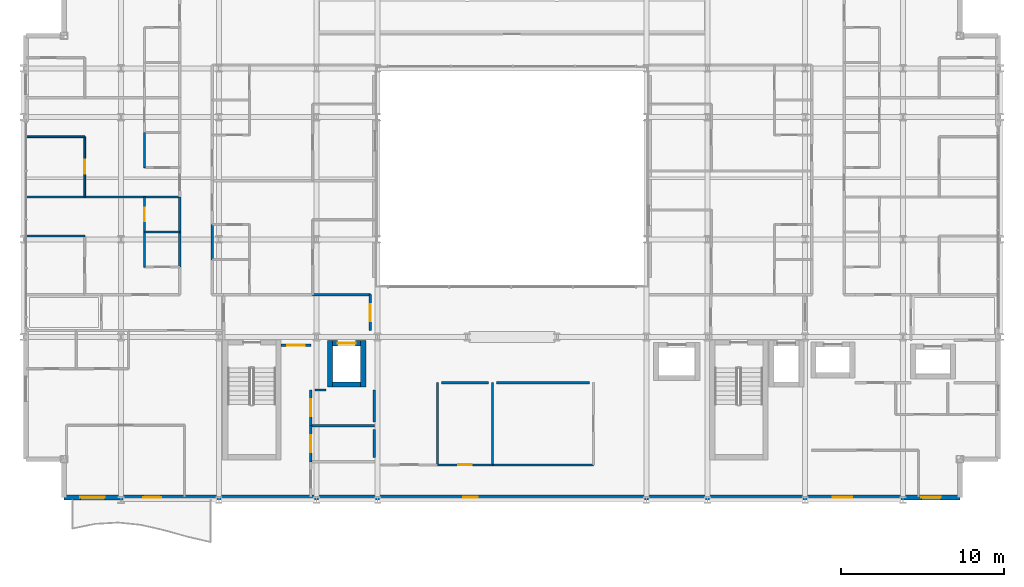
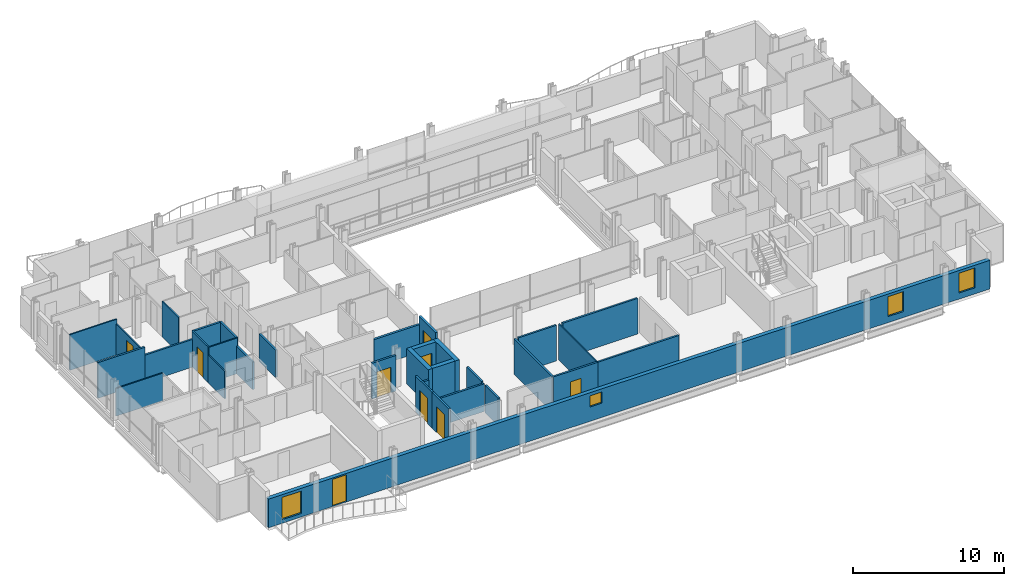
# One storey, part 32 of 40: 33 walls, 9 doors, 4 windows, 13 openings.
"""IFC4 building model written with IfcOpenShell, lengths in metres."""

from ifc_helpers import new_model, si_unit, direction, frame, frame_2d, origin, place, context, subcontext, project, spatial, rectangle, extrude, material, layer, layer_set, type_object, element, fill, save


model = new_model("IFC4")

# Units and contexts
model_context = context("Model", 3, precision=1e-05, world=origin(), true_north=direction((0.0, 1.0)))
body_context = subcontext(model_context, "Body", "Model", "MODEL_VIEW")
ifc_project = project(units=[si_unit("LENGTHUNIT", "METRE"), si_unit("AREAUNIT", "SQUARE_METRE"), si_unit("VOLUMEUNIT", "CUBIC_METRE"), si_unit("PLANEANGLEUNIT", "RADIAN"), si_unit("MASSUNIT", "GRAM", prefix="KILO")], contexts=[model_context])

# Site, building, storey
site_placement = place(None, origin())
site = spatial("IfcSite", under=ifc_project, at=site_placement, CompositionType="ELEMENT")
building_placement = place(site_placement, origin())
building = spatial("IfcBuilding", under=site, at=building_placement, Name="Brevholm Reach", CompositionType="ELEMENT")
storey_placement = place(building_placement, frame((0.0, 0.0, 31.10009765625)))
storey = spatial("IfcBuildingStorey", under=building, at=storey_placement, Name="L07", CompositionType="ELEMENT", Elevation=31.10009765625)

# Walls
ifc_material_1 = material(Name="Concrete C60/75", Category="concrete")
ifc_layer_1 = layer(ifc_material_1, 0.320068359375)
ifc_layer_set_1 = layer_set([ifc_layer_1], Name="Concrete C60/75")
wall_type_1 = type_object("IfcWallType", Name="WAL-COR-320", PredefinedType="SHEAR", material=ifc_layer_set_1)
for number, where, z_axis, x_axis, name in (
    (1, (18.830078125, 6.919921875, 0.0), (0.0, 0.0, 1.0), (0.0, 1.0, 0.0), "L07 Lift FFL-1 Shaft Wall W"),
    (2, (20.8701171875, 6.919921875, 0.0), (0.0, 0.0, 1.0), (0.0, 1.0, 0.0), "L07 Lift FFL-1 Shaft Wall E"),
):
    element("IfcWall", number, at=place(storey_placement, frame(where, z_axis=z_axis, x_axis=x_axis)), inside=storey, type_object=wall_type_1, Name=name, PredefinedType="SHEAR", context=body_context, shape_type="SweptSolid", body=[
        extrude(rectangle(XDim=2.860107421875, YDim=0.320068359375, at=frame_2d((1.43017578125, 0.0))), origin(), (0.0, 0.0, 1.0), 2.869873046875),
    ])
wall_1_placement = place(storey_placement, frame((18.989990234375, 7.080078125, 0.0), z_axis=(0.0, 0.0, 1.0), x_axis=(1.0, 0.0, 0.0)))
element("IfcWall", 3, at=wall_1_placement, inside=storey, type_object=wall_type_1, Name="L07 Lift FFL-1 Shaft Wall S", PredefinedType="SHEAR", context=body_context, shape_type="SweptSolid", body=[
    extrude(rectangle(XDim=1.719970703125, YDim=0.320068359375, at=frame_2d((0.85986328125, 0.0))), origin(), (0.0, 0.0, 1.0), 2.869873046875),
])

# Wall, opening, door
wall_2_placement = place(storey_placement, frame((18.989990234375, 9.6201171875, 0.0), z_axis=(0.0, 0.0, 1.0), x_axis=(1.0, 0.0, 0.0)))
wall_2 = element("IfcWall", 4, at=wall_2_placement, inside=storey, type_object=wall_type_1, Name="L07 Lift FFL-1 Shaft Wall N", PredefinedType="SHEAR", context=body_context, shape_type="SweptSolid", body=[
    extrude(rectangle(XDim=1.719970703125, YDim=0.320068359375, at=frame_2d((0.85986328125, 0.0))), origin(), (0.0, 0.0, 1.0), 2.869873046875),
])
opening_1_placement = place(wall_2_placement, frame((0.31005859375, 0.0, 0.0)))
opening_1 = element("IfcOpeningElement", 5, at=opening_1_placement, cuts=wall_2, Name="Opening LD-FFL-1", PredefinedType="OPENING", context=body_context, shape_type="SweptSolid", body=[
    extrude(rectangle(XDim=1.10009765625, YDim=2.06005859375, at=frame_2d((0.550048828125, 1.030029296875))), frame((0.0, 0.169921875, 0.0), z_axis=(0.0, -1.0, 0.0), x_axis=(1.0, 0.0, 0.0)), (0.0, 0.0, 1.0), 0.340087890625),
])
ifc_material_2 = material(Name="Brushed Stainless Steel Fire-Rated Sliding Lift Door", Category="steel")
door_type_1 = type_object("IfcDoorType", Name="DOR-LFT-1100", OperationType="NOTDEFINED", PredefinedType="DOOR", material=ifc_material_2)
door_1_placement = place(opening_1_placement, origin())
door_1 = element("IfcDoor", 6, at=door_1_placement, inside=storey, type_object=door_type_1, Name="L07 Lift FFL-1 Sliding Landing Door", OperationType="SLIDING_TO_LEFT", OverallHeight=2.06005859375, OverallWidth=1.10009765625, PredefinedType="DOOR", context=body_context, shape_type="SweptSolid", body=[
    extrude(rectangle(XDim=1.10009765625, YDim=2.06005859375, at=frame_2d((0.550048828125, 1.030029296875))), frame((0.0, 0.02490234375, 0.0), z_axis=(0.0, -1.0, 0.0), x_axis=(1.0, 0.0, 0.0)), (0.0, 0.0, 1.0), 0.050048828125),
])
fill(opening_1, door_1)

# Wall, openings, door, windows
ifc_material_3 = material(Name="Concrete C40/50", Category="concrete")
ifc_layer_2 = layer(ifc_material_3, 0.300048828125)
ifc_layer_set_2 = layer_set([ifc_layer_2], Name="Concrete C40/50")
wall_type_2 = type_object("IfcWallType", Name="WAL-EXT-300", PredefinedType="STANDARD", material=ifc_layer_set_2)
wall_3_placement = place(storey_placement, frame((2.5, 0.14990234375, 0.0), z_axis=(0.0, 0.0, 1.0), x_axis=(1.0, 0.0, 0.0)))
wall_3 = element("IfcWall", 7, at=wall_3_placement, inside=storey, type_object=wall_type_2, Name="L07 Facade Wall WAL-L07-S", PredefinedType="STANDARD", context=body_context, shape_type="SweptSolid", body=[
    extrude(rectangle(XDim=55.0, YDim=0.300048828125, at=frame_2d((27.5, 0.0))), origin(), (0.0, 0.0, 1.0), 2.305419921875),
])
opening_2_placement = place(wall_3_placement, frame((4.85009765625, 0.0, 0.0)))
opening_2 = element("IfcOpeningElement", 8, at=opening_2_placement, cuts=wall_3, Name="Opening BD-01", PredefinedType="OPENING", context=body_context, shape_type="SweptSolid", body=[
    extrude(rectangle(XDim=1.10009765625, YDim=2.199951171875, at=frame_2d((0.550048828125, 1.10009765625))), frame((0.0, 0.159912109375, 0.0), z_axis=(0.0, -1.0, 0.0), x_axis=(1.0, 0.0, 0.0)), (0.0, 0.0, 1.0), 0.320068359375),
])
opening_3_placement = place(wall_3_placement, frame((1.0, 0.0, 0.285888671875)))
opening_3 = element("IfcOpeningElement", 9, at=opening_3_placement, cuts=wall_3, Name="Opening WN-05", PredefinedType="OPENING", context=body_context, shape_type="SweptSolid", body=[
    extrude(rectangle(XDim=1.5, YDim=1.800048828125, at=frame_2d((0.75, 0.89990234375))), frame((0.0, 0.159912109375, 0.0), z_axis=(0.0, -1.0, 0.0), x_axis=(1.0, 0.0, 0.0)), (0.0, 0.0, 1.0), 0.320068359375),
])
opening_4_placement = place(wall_3_placement, frame((24.5, 0.0, 1.14990234375)))
opening_4 = element("IfcOpeningElement", 10, at=opening_4_placement, cuts=wall_3, Name="Opening WN-09", PredefinedType="OPENING", context=body_context, shape_type="SweptSolid", body=[
    extrude(rectangle(XDim=0.89990234375, YDim=0.89990234375, at=frame_2d((0.449951171875, 0.449951171875))), frame((0.0, 0.159912109375, 0.0), z_axis=(0.0, -1.0, 0.0), x_axis=(1.0, 0.0, 0.0)), (0.0, 0.0, 1.0), 0.320068359375),
])
opening_5_placement = place(wall_3_placement, frame((47.199951171875, 0.0, 0.486083984375)))
opening_5 = element("IfcOpeningElement", 11, at=opening_5_placement, cuts=wall_3, Name="Opening WN-08", PredefinedType="OPENING", context=body_context, shape_type="SweptSolid", body=[
    extrude(rectangle(XDim=1.199951171875, YDim=1.60009765625, at=frame_2d((0.60009765625, 0.800048828125))), frame((0.0, 0.159912109375, 0.0), z_axis=(0.0, -1.0, 0.0), x_axis=(1.0, 0.0, 0.0)), (0.0, 0.0, 1.0), 0.320068359375),
])
opening_6_placement = place(wall_3_placement, frame((52.6298828125, 0.0, 0.486083984375)))
opening_6 = element("IfcOpeningElement", 12, at=opening_6_placement, cuts=wall_3, Name="Opening WN-08", PredefinedType="OPENING", context=body_context, shape_type="SweptSolid", body=[
    extrude(rectangle(XDim=1.199951171875, YDim=1.60009765625, at=frame_2d((0.60009765625, 0.800048828125))), frame((0.0, 0.159912109375, 0.0), z_axis=(0.0, -1.0, 0.0), x_axis=(1.0, 0.0, 0.0)), (0.0, 0.0, 1.0), 0.320068359375),
])
ifc_material_4 = material(Name="Dark Anodised Aluminium and Triple-Glazed Glass", Category="aluminium")
door_type_2 = type_object("IfcDoorType", Name="DOR-BALC-1100", OperationType="NOTDEFINED", PredefinedType="DOOR", material=ifc_material_4)
door_2_placement = place(opening_2_placement, origin())
door_2 = element("IfcDoor", 13, at=door_2_placement, inside=storey, type_object=door_type_2, Name="L07 Exterior Door DOR-L07-BL-SW", OperationType="SINGLE_SWING_RIGHT", OverallHeight=2.199951171875, OverallWidth=1.10009765625, PredefinedType="DOOR", context=body_context, shape_type="SweptSolid", body=[
    extrude(rectangle(XDim=1.10009765625, YDim=2.199951171875, at=frame_2d((0.550048828125, 1.10009765625))), frame((0.0, 0.02490234375, 0.0), z_axis=(0.0, -1.0, 0.0), x_axis=(1.0, 0.0, 0.0)), (0.0, 0.0, 1.0), 0.050048828125),
])
fill(opening_2, door_2)
ifc_material_5 = material(Name="Dark Anodised Aluminium and Solar-Control IGU Glass", Category="aluminium")
window_type_1 = type_object("IfcWindowType", Name="WIN-POR-0900", PartitioningType="SINGLE_PANEL", PredefinedType="WINDOW", material=ifc_material_5)
window_1_placement = place(opening_4_placement, origin())
window_1 = element("IfcWindow", 14, at=window_1_placement, inside=storey, type_object=window_type_1, Name="L07 Window WIN-L07-S-POR", OverallHeight=0.89990234375, OverallWidth=0.89990234375, PartitioningType="SINGLE_PANEL", PredefinedType="WINDOW", context=body_context, shape_type="SweptSolid", body=[
    extrude(rectangle(XDim=0.89990234375, YDim=0.89990234375, at=frame_2d((0.449951171875, 0.449951171875))), frame((0.0, 0.030029296875, 0.0), z_axis=(0.0, -1.0, 0.0), x_axis=(1.0, 0.0, 0.0)), (0.0, 0.0, 1.0), 0.06005859375),
])
fill(opening_4, window_1)
ifc_material_6 = material(Name="Dark Anodised Aluminium and Solar-Control IGU Glass", Category="aluminium")
window_type_2 = type_object("IfcWindowType", Name="WIN-RES-1200", PartitioningType="SINGLE_PANEL", PredefinedType="WINDOW", material=ifc_material_6)
window_2_placement = place(opening_5_placement, origin())
window_2 = element("IfcWindow", 15, at=window_2_placement, inside=storey, type_object=window_type_2, Name="L07 Window WIN-L07-S-E1", OverallHeight=1.60009765625, OverallWidth=1.199951171875, PartitioningType="SINGLE_PANEL", PredefinedType="WINDOW", context=body_context, shape_type="SweptSolid", body=[
    extrude(rectangle(XDim=1.199951171875, YDim=1.60009765625, at=frame_2d((0.60009765625, 0.800048828125))), frame((0.0, 0.030029296875, 0.0), z_axis=(0.0, -1.0, 0.0), x_axis=(1.0, 0.0, 0.0)), (0.0, 0.0, 1.0), 0.06005859375),
])
fill(opening_5, window_2)
window_3_placement = place(opening_6_placement, origin())
window_3 = element("IfcWindow", 16, at=window_3_placement, inside=storey, type_object=window_type_2, Name="L07 Window WIN-L07-S-E2", OverallHeight=1.60009765625, OverallWidth=1.199951171875, PartitioningType="SINGLE_PANEL", PredefinedType="WINDOW", context=body_context, shape_type="SweptSolid", body=[
    extrude(rectangle(XDim=1.199951171875, YDim=1.60009765625, at=frame_2d((0.60009765625, 0.800048828125))), frame((0.0, 0.030029296875, 0.0), z_axis=(0.0, -1.0, 0.0), x_axis=(1.0, 0.0, 0.0)), (0.0, 0.0, 1.0), 0.06005859375),
])
fill(opening_6, window_3)
ifc_material_7 = material(Name="Dark Anodised Aluminium and Solar-Control IGU Glass", Category="aluminium")
window_type_3 = type_object("IfcWindowType", Name="WIN-RES-1500", PartitioningType="SINGLE_PANEL", PredefinedType="WINDOW", material=ifc_material_7)
window_4_placement = place(opening_3_placement, origin())
window_4 = element("IfcWindow", 17, at=window_4_placement, inside=storey, type_object=window_type_3, Name="L07 Window WIN-L07-S-W1", OverallHeight=1.800048828125, OverallWidth=1.5, PartitioningType="SINGLE_PANEL", PredefinedType="WINDOW", context=body_context, shape_type="SweptSolid", body=[
    extrude(rectangle(XDim=1.5, YDim=1.800048828125, at=frame_2d((0.75, 0.89990234375))), frame((0.0, 0.030029296875, 0.0), z_axis=(0.0, -1.0, 0.0), x_axis=(1.0, 0.0, 0.0)), (0.0, 0.0, 1.0), 0.06005859375),
])
fill(opening_3, window_4)

# Walls
ifc_material_8 = material(Name="Moisture-Resistant Acoustic Gypsum Stud Partition 100 mm", Category="gypsum")
ifc_layer_3 = layer(ifc_material_8, 0.10009765625)
ifc_layer_set_3 = layer_set([ifc_layer_3], Name="Moisture-Resistant Acoustic Gypsum Stud Partition 100 mm")
wall_type_3 = type_object("IfcWallType", Name="WAL-PRT-100", PredefinedType="PARTITIONING", material=ifc_layer_set_3)
wall_4_placement = place(storey_placement, frame((28.800048828125, 2.154052734375, 0.0), z_axis=(0.0, 0.0, 1.0), x_axis=(0.0, 1.0, 0.0)))
element("IfcWall", 18, at=wall_4_placement, inside=storey, type_object=wall_type_3, Name="L07 Internal Partition 006", PredefinedType="PARTITIONING", context=body_context, shape_type="SweptSolid", body=[
    extrude(rectangle(XDim=5.0458984375, YDim=0.10009765625, at=frame_2d((2.52294921875, 0.0))), origin(), (0.0, 0.0, 1.0), 2.869873046875),
])
wall_5_placement = place(storey_placement, frame((7.43798828125, 16.449951171875, 0.0), z_axis=(0.0, 0.0, 1.0), x_axis=(1.0, 0.0, 0.0)))
element("IfcWall", 19, at=wall_5_placement, inside=storey, type_object=wall_type_3, Name="L07 Internal Partition 091", PredefinedType="PARTITIONING", context=body_context, shape_type="SweptSolid", body=[
    extrude(rectangle(XDim=2.157958984375, YDim=0.10009765625, at=frame_2d((1.0791015625, 0.0))), origin(), (0.0, 0.0, 1.0), 2.869873046875),
])

# Wall, opening, door
wall_6_placement = place(storey_placement, frame((7.43798828125, 16.449951171875, 0.0), z_axis=(0.0, 0.0, 1.0), x_axis=(0.0, 1.0, 0.0)))
wall_6 = element("IfcWall", 20, at=wall_6_placement, inside=storey, type_object=wall_type_3, Name="L07 Internal Partition 092", PredefinedType="PARTITIONING", context=body_context, shape_type="SweptSolid", body=[
    extrude(rectangle(XDim=2.150146484375, YDim=0.10009765625, at=frame_2d((1.0751953125, 0.0))), origin(), (0.0, 0.0, 1.0), 2.869873046875),
])
opening_7_placement = place(wall_6_placement, frame((0.6650390625, 0.0, 0.0)))
opening_7 = element("IfcOpeningElement", 21, at=opening_7_placement, cuts=wall_6, Name="Opening ID-03", PredefinedType="OPENING", context=body_context, shape_type="SweptSolid", body=[
    extrude(rectangle(XDim=0.820068359375, YDim=2.02001953125, at=frame_2d((0.41015625, 1.010009765625))), frame((0.0, 0.06005859375, 0.0), z_axis=(0.0, -1.0, 0.0), x_axis=(1.0, 0.0, 0.0)), (0.0, 0.0, 1.0), 0.1201171875),
])
ifc_material_9 = material(Name="Moisture-Resistant Painted Timber Internal Bathroom Door", Category="wood")
door_type_3 = type_object("IfcDoorType", Name="DOR-BATH-820", OperationType="NOTDEFINED", PredefinedType="DOOR", material=ifc_material_9)
door_3_placement = place(opening_7_placement, origin())
door_3 = element("IfcDoor", 22, at=door_3_placement, inside=storey, type_object=door_type_3, Name="L07 Internal Door 033", OperationType="SINGLE_SWING_RIGHT", OverallHeight=2.02001953125, OverallWidth=0.820068359375, PredefinedType="DOOR", context=body_context, shape_type="SweptSolid", body=[
    extrude(rectangle(XDim=0.820068359375, YDim=2.02001953125, at=frame_2d((0.41015625, 1.010009765625))), frame((0.0, 0.02490234375, 0.0), z_axis=(0.0, -1.0, 0.0), x_axis=(1.0, 0.0, 0.0)), (0.0, 0.0, 1.0), 0.050048828125),
])
fill(opening_7, door_3)

# Walls
wall_7_placement = place(storey_placement, frame((7.43798828125, 14.300048828125, 0.0), z_axis=(0.0, 0.0, 1.0), x_axis=(0.0, 1.0, 0.0)))
element("IfcWall", 23, at=wall_7_placement, inside=storey, type_object=wall_type_3, Name="L07 Internal Partition 095", PredefinedType="PARTITIONING", context=body_context, shape_type="SweptSolid", body=[
    extrude(rectangle(XDim=2.14599609375, YDim=0.10009765625, at=frame_2d((1.072998046875, 0.0))), origin(), (0.0, 0.0, 1.0), 2.224609375),
])
wall_8_placement = place(storey_placement, frame((0.199951171875, 16.199951171875, 0.0), z_axis=(0.0, 0.0, 1.0), x_axis=(1.0, 0.0, 0.0)))
element("IfcWall", 24, at=wall_8_placement, inside=storey, type_object=wall_type_3, Name="L07 Internal Partition 097", PredefinedType="PARTITIONING", context=body_context, shape_type="SweptSolid", body=[
    extrude(rectangle(XDim=3.572021484375, YDim=0.10009765625, at=frame_2d((1.7861328125, 0.0))), origin(), (0.0, 0.0, 1.0), 2.224609375),
])
wall_9_placement = place(storey_placement, frame((7.43798828125, 20.39990234375, 0.0), z_axis=(0.0, 0.0, 1.0), x_axis=(0.0, 1.0, 0.0)))
element("IfcWall", 25, at=wall_9_placement, inside=storey, type_object=wall_type_3, Name="L07 Internal Partition 104", PredefinedType="PARTITIONING", context=body_context, shape_type="SweptSolid", body=[
    extrude(rectangle(XDim=2.14599609375, YDim=0.10009765625, at=frame_2d((1.072998046875, 0.0))), origin(), (0.0, 0.0, 1.0), 2.869873046875),
])

# Wall, opening, door
wall_10_placement = place(storey_placement, frame((3.77197265625, 18.60400390625, 0.0), z_axis=(0.0, 0.0, 1.0), x_axis=(0.0, 1.0, 0.0)))
wall_10 = element("IfcWall", 26, at=wall_10_placement, inside=storey, type_object=wall_type_3, Name="L07 Internal Partition 105", PredefinedType="PARTITIONING", context=body_context, shape_type="SweptSolid", body=[
    extrude(rectangle(XDim=3.696044921875, YDim=0.10009765625, at=frame_2d((1.84814453125, 0.0))), origin(), (0.0, 0.0, 1.0), 2.489990234375),
])
opening_8_placement = place(wall_10_placement, frame((1.407958984375, 0.0, 0.0)))
opening_8 = element("IfcOpeningElement", 27, at=opening_8_placement, cuts=wall_10, Name="Opening ID-01", PredefinedType="OPENING", context=body_context, shape_type="SweptSolid", body=[
    extrude(rectangle(XDim=0.8798828125, YDim=2.0400390625, at=frame_2d((0.43994140625, 1.02001953125))), frame((0.0, 0.06005859375, 0.0), z_axis=(0.0, -1.0, 0.0), x_axis=(1.0, 0.0, 0.0)), (0.0, 0.0, 1.0), 0.1201171875),
])
ifc_material_10 = material(Name="Lacquered Ash Solid-Core Acoustic Internal Door", Category="timber")
door_type_4 = type_object("IfcDoorType", Name="DOR-INT-880", OperationType="NOTDEFINED", PredefinedType="DOOR", material=ifc_material_10)
door_4_placement = place(opening_8_placement, origin())
door_4 = element("IfcDoor", 28, at=door_4_placement, inside=storey, type_object=door_type_4, Name="L07 Internal Door 038", OperationType="SINGLE_SWING_LEFT", OverallHeight=2.0400390625, OverallWidth=0.8798828125, PredefinedType="DOOR", context=body_context, shape_type="SweptSolid", body=[
    extrude(rectangle(XDim=0.8798828125, YDim=2.0400390625, at=frame_2d((0.43994140625, 1.02001953125))), frame((0.0, 0.02490234375, 0.0), z_axis=(0.0, -1.0, 0.0), x_axis=(1.0, 0.0, 0.0)), (0.0, 0.0, 1.0), 0.050048828125),
])
fill(opening_8, door_4)

# Wall
wall_11_placement = place(storey_placement, frame((0.199951171875, 22.300048828125, 0.0), z_axis=(0.0, 0.0, 1.0), x_axis=(1.0, 0.0, 0.0)))
element("IfcWall", 29, at=wall_11_placement, inside=storey, type_object=wall_type_3, Name="L07 Internal Partition 106", PredefinedType="PARTITIONING", context=body_context, shape_type="SweptSolid", body=[
    extrude(rectangle(XDim=3.572021484375, YDim=0.10009765625, at=frame_2d((1.7861328125, 0.0))), origin(), (0.0, 0.0, 1.0), 2.869873046875),
])

# Wall, opening, door
ifc_material_11 = material(Name="Twin-Stud Acoustic Fire-Rated Gypsum Partition 140 mm", Category="gypsum")
ifc_layer_4 = layer(ifc_material_11, 0.139892578125)
ifc_layer_set_4 = layer_set([ifc_layer_4], Name="Twin-Stud Acoustic Fire-Rated Gypsum Partition 140 mm")
wall_type_4 = type_object("IfcWallType", Name="WAL-PRT-140", PredefinedType="PARTITIONING", material=ifc_layer_set_4)
wall_12_placement = place(storey_placement, frame((25.41259765625, 2.14990234375, 0.0), z_axis=(0.0, 0.0, 1.0), x_axis=(1.0, 0.0, 0.0)))
wall_12 = element("IfcWall", 30, at=wall_12_placement, inside=storey, type_object=wall_type_4, Name="L07 Internal Partition 003", PredefinedType="PARTITIONING", context=body_context, shape_type="SweptSolid", body=[
    extrude(rectangle(XDim=3.398681640625, YDim=0.139892578125, at=frame_2d((1.69921875, 0.0))), origin(), (0.0, 0.0, 1.0), 2.869873046875),
])
opening_9_placement = place(wall_12_placement, frame((1.289306640625, 0.0, 0.0)))
opening_9 = element("IfcOpeningElement", 31, at=opening_9_placement, cuts=wall_12, Name="Opening ID-02", PredefinedType="OPENING", context=body_context, shape_type="SweptSolid", body=[
    extrude(rectangle(XDim=0.820068359375, YDim=2.02001953125, at=frame_2d((0.41015625, 1.010009765625))), frame((0.0, 0.079833984375, 0.0), z_axis=(0.0, -1.0, 0.0), x_axis=(1.0, 0.0, 0.0)), (0.0, 0.0, 1.0), 0.159912109375),
])
ifc_material_12 = material(Name="Moisture-Resistant Painted Timber Fire-Rated Riser and Service Door", Category="wood")
door_type_5 = type_object("IfcDoorType", Name="DOR-SRV-820", OperationType="NOTDEFINED", PredefinedType="DOOR", material=ifc_material_12)
door_5_placement = place(opening_9_placement, origin())
door_5 = element("IfcDoor", 32, at=door_5_placement, inside=storey, type_object=door_type_5, Name="L07 Internal Door 003", OperationType="SINGLE_SWING_RIGHT", OverallHeight=2.02001953125, OverallWidth=0.820068359375, PredefinedType="DOOR", context=body_context, shape_type="SweptSolid", body=[
    extrude(rectangle(XDim=0.820068359375, YDim=2.02001953125, at=frame_2d((0.41015625, 1.010009765625))), frame((0.0, 0.02490234375, 0.0), z_axis=(0.0, -1.0, 0.0), x_axis=(1.0, 0.0, 0.0)), (0.0, 0.0, 1.0), 0.050048828125),
])
fill(opening_9, door_5)

# Walls
wall_13_placement = place(storey_placement, frame((28.792724609375, 2.14990234375, 0.0), z_axis=(0.0, 0.0, 1.0), x_axis=(1.0, 0.0, 0.0)))
element("IfcWall", 33, at=wall_13_placement, inside=storey, type_object=wall_type_4, Name="L07 Internal Partition 004", PredefinedType="PARTITIONING", context=body_context, shape_type="SweptSolid", body=[
    extrude(rectangle(XDim=6.203369140625, YDim=0.139892578125, at=frame_2d((3.1015625, 0.0))), origin(), (0.0, 0.0, 1.0), 2.869873046875),
])
wall_14_placement = place(storey_placement, frame((25.419921875, 2.154052734375, 0.0), z_axis=(0.0, 0.0, 1.0), x_axis=(0.0, 1.0, 0.0)))
element("IfcWall", 34, at=wall_14_placement, inside=storey, type_object=wall_type_4, Name="L07 Internal Partition 005", PredefinedType="PARTITIONING", context=body_context, shape_type="SweptSolid", body=[
    extrude(rectangle(XDim=5.0458984375, YDim=0.139892578125, at=frame_2d((2.52294921875, 0.0))), origin(), (0.0, 0.0, 1.0), 2.869873046875),
])

# Wall, opening, door
wall_15_placement = place(storey_placement, frame((17.64990234375, 2.3427734375, 0.0), z_axis=(0.0, 0.0, 1.0), x_axis=(0.0, 1.0, 0.0)))
wall_15 = element("IfcWall", 35, at=wall_15_placement, inside=storey, type_object=wall_type_4, Name="L07 Internal Partition 008", PredefinedType="PARTITIONING", context=body_context, shape_type="SweptSolid", body=[
    extrude(rectangle(XDim=2.218505859375, YDim=0.139892578125, at=frame_2d((1.109375, 0.0))), origin(), (0.0, 0.0, 1.0), 2.869873046875),
])
opening_10_placement = place(wall_15_placement, frame((0.584228515625, 0.0, 0.0)))
opening_10 = element("IfcOpeningElement", 36, at=opening_10_placement, cuts=wall_15, Name="Opening FD-01", PredefinedType="OPENING", context=body_context, shape_type="SweptSolid", body=[
    extrude(rectangle(XDim=1.050048828125, YDim=2.06005859375, at=frame_2d((0.52490234375, 1.030029296875))), frame((0.0, 0.079833984375, 0.0), z_axis=(0.0, -1.0, 0.0), x_axis=(1.0, 0.0, 0.0)), (0.0, 0.0, 1.0), 0.159912109375),
])
ifc_material_13 = material(Name="Hardwood-Lipped Steel-Core Fire and Smoke Door", Category="steel")
door_type_6 = type_object("IfcDoorType", Name="DOR-INT-FD60S", OperationType="NOTDEFINED", PredefinedType="DOOR", material=ifc_material_13)
door_6_placement = place(opening_10_placement, origin())
door_6 = element("IfcDoor", 37, at=door_6_placement, inside=storey, type_object=door_type_6, Name="L07 Internal Door 005", OperationType="SINGLE_SWING_RIGHT", OverallHeight=2.06005859375, OverallWidth=1.050048828125, PredefinedType="DOOR", context=body_context, shape_type="SweptSolid", body=[
    extrude(rectangle(XDim=1.050048828125, YDim=2.06005859375, at=frame_2d((0.52490234375, 1.030029296875))), frame((0.0, 0.02490234375, 0.0), z_axis=(0.0, -1.0, 0.0), x_axis=(1.0, 0.0, 0.0)), (0.0, 0.0, 1.0), 0.050048828125),
])
fill(opening_10, door_6)

wall_16_placement = place(storey_placement, frame((17.64990234375, 4.542724609375, 0.0), z_axis=(0.0, 0.0, 1.0), x_axis=(0.0, 1.0, 0.0)))
wall_16 = element("IfcWall", 38, at=wall_16_placement, inside=storey, type_object=wall_type_4, Name="L07 Internal Partition 009", PredefinedType="PARTITIONING", context=body_context, shape_type="SweptSolid", body=[
    extrude(rectangle(XDim=2.218505859375, YDim=0.139892578125, at=frame_2d((1.109375, 0.0))), origin(), (0.0, 0.0, 1.0), 2.869873046875),
])
opening_11_placement = place(wall_16_placement, frame((0.584228515625, 0.0, 0.0)))
opening_11 = element("IfcOpeningElement", 39, at=opening_11_placement, cuts=wall_16, Name="Opening FD-01", PredefinedType="OPENING", context=body_context, shape_type="SweptSolid", body=[
    extrude(rectangle(XDim=1.050048828125, YDim=2.06005859375, at=frame_2d((0.52490234375, 1.030029296875))), frame((0.0, 0.079833984375, 0.0), z_axis=(0.0, -1.0, 0.0), x_axis=(1.0, 0.0, 0.0)), (0.0, 0.0, 1.0), 0.159912109375),
])
door_7_placement = place(opening_11_placement, origin())
door_7 = element("IfcDoor", 40, at=door_7_placement, inside=storey, type_object=door_type_6, Name="L07 Internal Door 006", OperationType="SINGLE_SWING_LEFT", OverallHeight=2.06005859375, OverallWidth=1.050048828125, PredefinedType="DOOR", context=body_context, shape_type="SweptSolid", body=[
    extrude(rectangle(XDim=1.050048828125, YDim=2.06005859375, at=frame_2d((0.52490234375, 1.030029296875))), frame((0.0, 0.02490234375, 0.0), z_axis=(0.0, -1.0, 0.0), x_axis=(1.0, 0.0, 0.0)), (0.0, 0.0, 1.0), 0.050048828125),
])
fill(opening_11, door_7)

# Walls
wall_17_placement = place(storey_placement, frame((17.654052734375, 4.550048828125, 0.0), z_axis=(0.0, 0.0, 1.0), x_axis=(1.0, 0.0, 0.0)))
element("IfcWall", 41, at=wall_17_placement, inside=storey, type_object=wall_type_4, Name="L07 Internal Partition 012", PredefinedType="PARTITIONING", context=body_context, shape_type="SweptSolid", body=[
    extrude(rectangle(XDim=3.89599609375, YDim=0.139892578125, at=frame_2d((1.947998046875, 0.0))), origin(), (0.0, 0.0, 1.0), 2.224609375),
])
wall_18_placement = place(storey_placement, frame((9.60009765625, 16.438720703125, 0.0), z_axis=(0.0, 0.0, 1.0), x_axis=(0.0, 1.0, 0.0)))
element("IfcWall", 42, at=wall_18_placement, inside=storey, type_object=wall_type_4, Name="L07 Internal Partition 035", PredefinedType="PARTITIONING", context=body_context, shape_type="SweptSolid", body=[
    extrude(rectangle(XDim=2.172607421875, YDim=0.139892578125, at=frame_2d((1.08642578125, 0.0))), origin(), (0.0, 0.0, 1.0), 2.869873046875),
])
wall_19_placement = place(storey_placement, frame((9.60009765625, 14.288818359375, 0.0), z_axis=(0.0, 0.0, 1.0), x_axis=(0.0, 1.0, 0.0)))
element("IfcWall", 43, at=wall_19_placement, inside=storey, type_object=wall_type_4, Name="L07 Internal Partition 036", PredefinedType="PARTITIONING", context=body_context, shape_type="SweptSolid", body=[
    extrude(rectangle(XDim=2.16845703125, YDim=0.139892578125, at=frame_2d((1.084228515625, 0.0))), origin(), (0.0, 0.0, 1.0), 2.224609375),
])
wall_20_placement = place(storey_placement, frame((11.60009765625, 14.74267578125, 0.0), z_axis=(0.0, 0.0, 1.0), x_axis=(0.0, 1.0, 0.0)))
element("IfcWall", 44, at=wall_20_placement, inside=storey, type_object=wall_type_4, Name="L07 Internal Partition 045", PredefinedType="PARTITIONING", context=body_context, shape_type="SweptSolid", body=[
    extrude(rectangle(XDim=2.168701171875, YDim=0.139892578125, at=frame_2d((1.08447265625, 0.0))), origin(), (0.0, 0.0, 1.0), 2.224609375),
])
wall_21_placement = place(storey_placement, frame((7.43798828125, 18.60009765625, 0.0), z_axis=(0.0, 0.0, 1.0), x_axis=(1.0, 0.0, 0.0)))
element("IfcWall", 45, at=wall_21_placement, inside=storey, type_object=wall_type_4, Name="L07 Internal Partition 093", PredefinedType="PARTITIONING", context=body_context, shape_type="SweptSolid", body=[
    extrude(rectangle(XDim=2.157958984375, YDim=0.139892578125, at=frame_2d((1.0791015625, 0.0))), origin(), (0.0, 0.0, 1.0), 2.869873046875),
])
wall_22_placement = place(storey_placement, frame((0.199951171875, 18.60009765625, 0.0), z_axis=(0.0, 0.0, 1.0), x_axis=(1.0, 0.0, 0.0)))
element("IfcWall", 46, at=wall_22_placement, inside=storey, type_object=wall_type_4, Name="L07 Internal Partition 098", PredefinedType="PARTITIONING", context=body_context, shape_type="SweptSolid", body=[
    extrude(rectangle(XDim=3.583251953125, YDim=0.139892578125, at=frame_2d((1.79150390625, 0.0))), origin(), (0.0, 0.0, 1.0), 2.869873046875),
])
wall_23_placement = place(storey_placement, frame((3.7646484375, 18.60009765625, 0.0), z_axis=(0.0, 0.0, 1.0), x_axis=(1.0, 0.0, 0.0)))
element("IfcWall", 47, at=wall_23_placement, inside=storey, type_object=wall_type_4, Name="L07 Internal Partition 099", PredefinedType="PARTITIONING", context=body_context, shape_type="SweptSolid", body=[
    extrude(rectangle(XDim=3.66943359375, YDim=0.139892578125, at=frame_2d((1.834716796875, 0.0))), origin(), (0.0, 0.0, 1.0), 2.224609375),
])
wall_24_placement = place(storey_placement, frame((25.659912109375, 7.199951171875, 0.0), z_axis=(0.0, 0.0, 1.0), x_axis=(1.0, 0.0, 0.0)))
element("IfcWall", 48, at=wall_24_placement, inside=storey, type_object=wall_type_4, Name="L07 Internal Partition 167", PredefinedType="PARTITIONING", context=body_context, shape_type="SweptSolid", body=[
    extrude(rectangle(XDim=2.900146484375, YDim=0.139892578125, at=frame_2d((1.4501953125, 0.0))), origin(), (0.0, 0.0, 1.0), 2.869873046875),
])
wall_25_placement = place(storey_placement, frame((29.0400390625, 7.199951171875, 0.0), z_axis=(0.0, 0.0, 1.0), x_axis=(1.0, 0.0, 0.0)))
element("IfcWall", 49, at=wall_25_placement, inside=storey, type_object=wall_type_4, Name="L07 Internal Partition 168", PredefinedType="PARTITIONING", context=body_context, shape_type="SweptSolid", body=[
    extrude(rectangle(XDim=5.719970703125, YDim=0.139892578125, at=frame_2d((2.85986328125, 0.0))), origin(), (0.0, 0.0, 1.0), 2.869873046875),
])
wall_26_placement = place(storey_placement, frame((21.550048828125, 2.590087890625, 0.0), z_axis=(0.0, 0.0, 1.0), x_axis=(0.0, 1.0, 0.0)))
element("IfcWall", 50, at=wall_26_placement, inside=storey, type_object=wall_type_4, Name="L07 Internal Partition 169", PredefinedType="PARTITIONING", context=body_context, shape_type="SweptSolid", body=[
    extrude(rectangle(XDim=1.719970703125, YDim=0.139892578125, at=frame_2d((0.85986328125, 0.0))), origin(), (0.0, 0.0, 1.0), 2.224609375),
])
wall_27_placement = place(storey_placement, frame((21.550048828125, 4.7900390625, 0.0), z_axis=(0.0, 0.0, 1.0), x_axis=(0.0, 1.0, 0.0)))
element("IfcWall", 51, at=wall_27_placement, inside=storey, type_object=wall_type_4, Name="L07 Internal Partition 170", PredefinedType="PARTITIONING", context=body_context, shape_type="SweptSolid", body=[
    extrude(rectangle(XDim=1.9599609375, YDim=0.139892578125, at=frame_2d((0.97998046875, 0.0))), origin(), (0.0, 0.0, 1.0), 2.224609375),
])
wall_28_placement = place(storey_placement, frame((17.889892578125, 6.75, 0.0), z_axis=(0.0, 0.0, 1.0), x_axis=(1.0, 0.0, 0.0)))
element("IfcWall", 52, at=wall_28_placement, inside=storey, type_object=wall_type_4, Name="L07 Internal Partition 171", PredefinedType="PARTITIONING", context=body_context, shape_type="SweptSolid", body=[
    extrude(rectangle(XDim=0.6884765625, YDim=0.139892578125, at=frame_2d((0.34423828125, 0.0))), origin(), (0.0, 0.0, 1.0), 2.224609375),
])

# Wall, opening, door
ifc_material_14 = material(Name="Twin-Frame Fire-Rated Gypsum Board and Mineral Wool 160 mm", Category="gypsum")
ifc_layer_5 = layer(ifc_material_14, 0.159912109375)
ifc_layer_set_5 = layer_set([ifc_layer_5], Name="Twin-Frame Fire-Rated Gypsum Board and Mineral Wool 160 mm")
wall_type_5 = type_object("IfcWallType", Name="WAL-PRT-160", PredefinedType="PARTITIONING", material=ifc_layer_set_5)
wall_29_placement = place(storey_placement, frame((15.830078125, 9.5, 0.0), z_axis=(0.0, 0.0, 1.0), x_axis=(1.0, 0.0, 0.0)))
wall_29 = element("IfcWall", 53, at=wall_29_placement, inside=storey, type_object=wall_type_5, Name="L07 Internal Partition 010", PredefinedType="PARTITIONING", context=body_context, shape_type="SweptSolid", body=[
    extrude(rectangle(XDim=1.81982421875, YDim=0.159912109375, at=frame_2d((0.909912109375, 0.0))), origin(), (0.0, 0.0, 1.0), 2.869873046875),
])
opening_12_placement = place(wall_29_placement, frame((0.385009765625, 0.0, 0.0)))
opening_12 = element("IfcOpeningElement", 54, at=opening_12_placement, cuts=wall_29, Name="Opening FD-01", PredefinedType="OPENING", context=body_context, shape_type="SweptSolid", body=[
    extrude(rectangle(XDim=1.050048828125, YDim=2.06005859375, at=frame_2d((0.52490234375, 1.030029296875))), frame((0.0, 0.08984375, 0.0), z_axis=(0.0, -1.0, 0.0), x_axis=(1.0, 0.0, 0.0)), (0.0, 0.0, 1.0), 0.179931640625),
])
door_8_placement = place(opening_12_placement, origin())
door_8 = element("IfcDoor", 55, at=door_8_placement, inside=storey, type_object=door_type_6, Name="L07 Internal Door 007", OperationType="SINGLE_SWING_RIGHT", OverallHeight=2.06005859375, OverallWidth=1.050048828125, PredefinedType="DOOR", context=body_context, shape_type="SweptSolid", body=[
    extrude(rectangle(XDim=1.050048828125, YDim=2.06005859375, at=frame_2d((0.52490234375, 1.030029296875))), frame((0.0, 0.02490234375, 0.0), z_axis=(0.0, -1.0, 0.0), x_axis=(1.0, 0.0, 0.0)), (0.0, 0.0, 1.0), 0.050048828125),
])
fill(opening_12, door_8)

wall_30_placement = place(storey_placement, frame((21.300048828125, 10.388671875, 0.0), z_axis=(0.0, 0.0, 1.0), x_axis=(0.0, 1.0, 0.0)))
wall_30 = element("IfcWall", 56, at=wall_30_placement, inside=storey, type_object=wall_type_5, Name="L07 Internal Partition 018", PredefinedType="PARTITIONING", context=body_context, shape_type="SweptSolid", body=[
    extrude(rectangle(XDim=2.21142578125, YDim=0.159912109375, at=frame_2d((1.105712890625, 0.0))), origin(), (0.0, 0.0, 1.0), 2.869873046875),
])
opening_13_placement = place(wall_30_placement, frame((0.58056640625, 0.0, 0.0)))
opening_13 = element("IfcOpeningElement", 57, at=opening_13_placement, cuts=wall_30, Name="Opening FD-01", PredefinedType="OPENING", context=body_context, shape_type="SweptSolid", body=[
    extrude(rectangle(XDim=1.050048828125, YDim=2.06005859375, at=frame_2d((0.52490234375, 1.030029296875))), frame((0.0, 0.08984375, 0.0), z_axis=(0.0, -1.0, 0.0), x_axis=(1.0, 0.0, 0.0)), (0.0, 0.0, 1.0), 0.179931640625),
])
door_9_placement = place(opening_13_placement, origin())
door_9 = element("IfcDoor", 58, at=door_9_placement, inside=storey, type_object=door_type_6, Name="L07 Internal Door 012", OperationType="SINGLE_SWING_LEFT", OverallHeight=2.06005859375, OverallWidth=1.050048828125, PredefinedType="DOOR", context=body_context, shape_type="SweptSolid", body=[
    extrude(rectangle(XDim=1.050048828125, YDim=2.06005859375, at=frame_2d((0.52490234375, 1.030029296875))), frame((0.0, 0.02490234375, 0.0), z_axis=(0.0, -1.0, 0.0), x_axis=(1.0, 0.0, 0.0)), (0.0, 0.0, 1.0), 0.050048828125),
])
fill(opening_13, door_9)

# Wall
wall_31_placement = place(storey_placement, frame((17.7578125, 12.60009765625, 0.0), z_axis=(0.0, 0.0, 1.0), x_axis=(1.0, 0.0, 0.0)))
element("IfcWall", 59, at=wall_31_placement, inside=storey, type_object=wall_type_5, Name="L07 Internal Partition 021", PredefinedType="PARTITIONING", context=body_context, shape_type="SweptSolid", body=[
    extrude(rectangle(XDim=3.542236328125, YDim=0.159912109375, at=frame_2d((1.77099609375, 0.0))), origin(), (0.0, 0.0, 1.0), 2.224609375),
])

save(model, "model.ifc")
